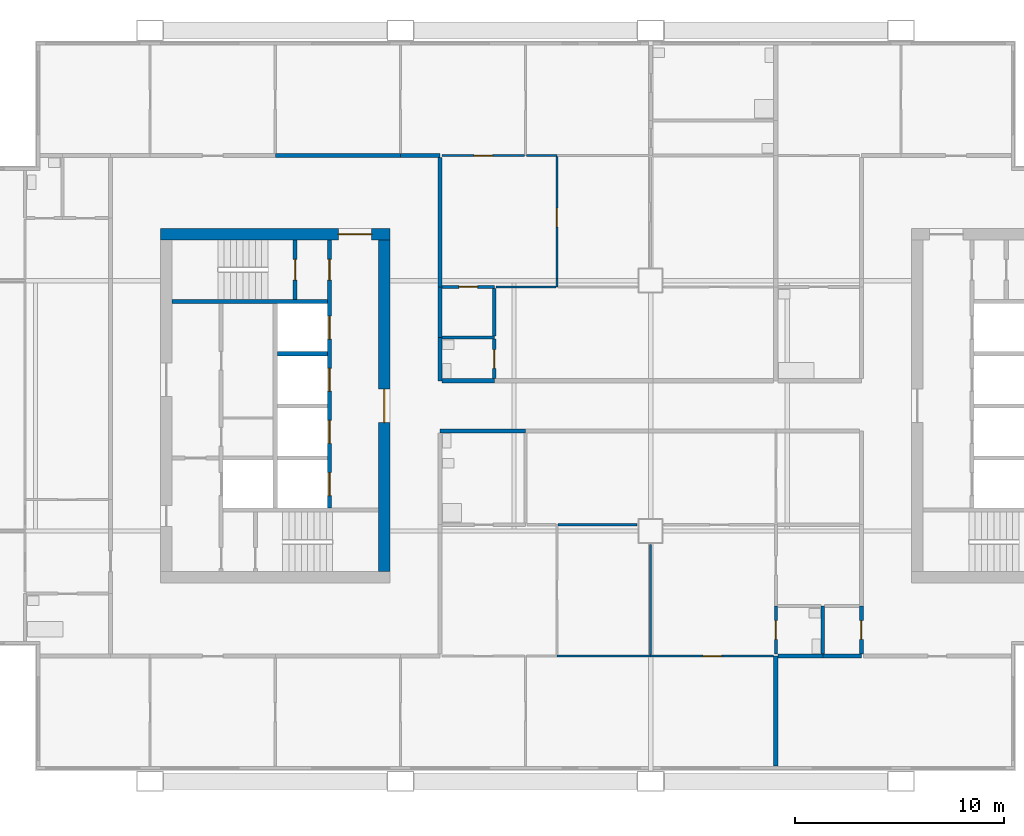
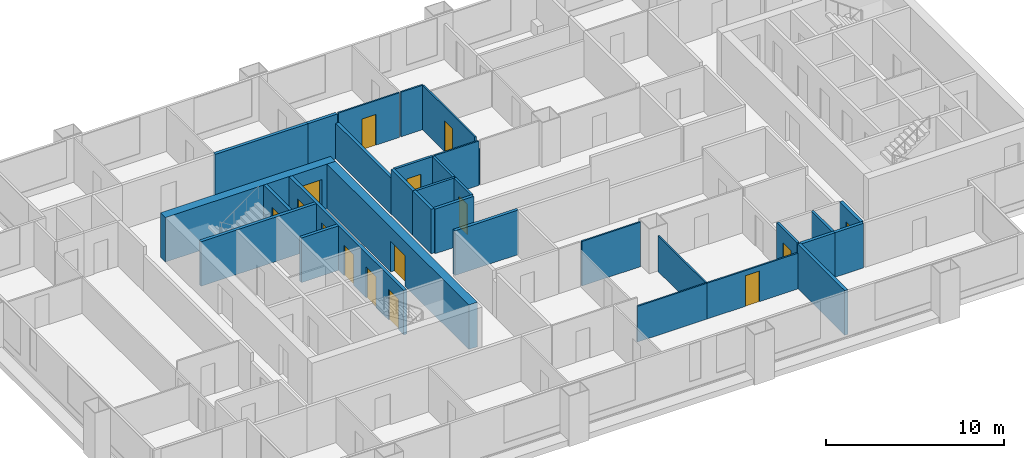
# One storey, part 4 of 9: 32 walls, 15 doors, 15 openings.
"""IFC4 building model written with IfcOpenShell, lengths in metres."""

from ifc_helpers import new_model, si_unit, direction, frame, frame_2d, origin, place, context, subcontext, project, spatial, rectangle, extrude, material, layer, layer_set, type_object, element, fill, save


model = new_model("IFC4")

# Units and contexts
model_context = context("Model", 3, precision=1e-05, world=origin(), true_north=direction((0.0, 1.0)))
body_context = subcontext(model_context, "Body", "Model", "MODEL_VIEW")
ifc_project = project(units=[si_unit("LENGTHUNIT", "METRE"), si_unit("AREAUNIT", "SQUARE_METRE"), si_unit("VOLUMEUNIT", "CUBIC_METRE"), si_unit("PLANEANGLEUNIT", "RADIAN"), si_unit("MASSUNIT", "GRAM", prefix="KILO")], contexts=[model_context])

# Site, building, storey
site_placement = place(None, origin())
site = spatial("IfcSite", under=ifc_project, at=site_placement, CompositionType="ELEMENT")
building_placement = place(site_placement, origin())
building = spatial("IfcBuilding", under=site, at=building_placement, Name="Kitamizu Gate Tower and Museum", CompositionType="ELEMENT")
storey_placement = place(building_placement, frame((0.0, 0.0, 182.39990234375)))
storey = spatial("IfcBuildingStorey", under=building, at=storey_placement, Name="L48", CompositionType="ELEMENT", Elevation=182.39990234375)

# Wall, opening, door
ifc_material_1 = material(Name="Concrete Fc42", Category="concrete")
ifc_layer_1 = layer(ifc_material_1, 0.550048828125)
ifc_layer_set_1 = layer_set([ifc_layer_1], Name="Concrete Fc42")
wall_type_1 = type_object("IfcWallType", Name="Core wall 550", PredefinedType="SHEAR", material=ifc_layer_set_1)
wall_1_placement = place(storey_placement, frame((12.5, 38.22509765625, 0.0), z_axis=(0.0, 0.0, 1.0), x_axis=(1.0, 0.0, 0.0)))
wall_1 = element("IfcWall", 1, at=wall_1_placement, inside=storey, type_object=wall_type_1, Name="Core wall WN", PredefinedType="SHEAR", context=body_context, shape_type="SweptSolid", body=[
    extrude(rectangle(XDim=11.0, YDim=0.550048828125, at=frame_2d((5.5, 0.0))), origin(), (0.0, 0.0, 1.0), 3.050048828125),
])
opening_1_placement = place(wall_1_placement, frame((8.52490234375, 0.0, 0.0)))
opening_1 = element("IfcOpeningElement", 2, at=opening_1_placement, cuts=wall_1, Name="Opening L48-048", PredefinedType="OPENING", context=body_context, shape_type="SweptSolid", body=[
    extrude(rectangle(XDim=1.60009765625, YDim=2.10009765625, at=frame_2d((0.800048828125, 1.050048828125))), frame((0.0, 0.28515625, 0.0), z_axis=(0.0, -1.0, 0.0), x_axis=(1.0, 0.0, 0.0)), (0.0, 0.0, 1.0), 0.570068359375),
])
ifc_material_2 = material(Name="Timber door set", Category="wood")
door_type_1 = type_object("IfcDoorType", Name="Entrance door 1600", OperationType="DOUBLE_DOOR_SINGLE_SWING", PredefinedType="DOOR", material=ifc_material_2)
door_1_placement = place(opening_1_placement, origin())
door_1 = element("IfcDoor", 3, at=door_1_placement, inside=storey, type_object=door_type_1, Name="Lobby door L48-048", OperationType="DOUBLE_DOOR_SINGLE_SWING", OverallHeight=2.10009765625, OverallWidth=1.60009765625, PredefinedType="DOOR", context=body_context, shape_type="SweptSolid", body=[
    extrude(rectangle(XDim=1.60009765625, YDim=2.10009765625, at=frame_2d((0.800048828125, 1.050048828125))), frame((0.0, 0.02490234375, 0.0), z_axis=(0.0, -1.0, 0.0), x_axis=(1.0, 0.0, 0.0)), (0.0, 0.0, 1.0), 0.050048828125),
])
fill(opening_1, door_1)

wall_2_placement = place(storey_placement, frame((23.22509765625, 22.050048828125, 0.0), z_axis=(0.0, 0.0, 1.0), x_axis=(0.0, 1.0, 0.0)))
wall_2 = element("IfcWall", 4, at=wall_2_placement, inside=storey, type_object=wall_type_1, Name="Core wall WARC", PredefinedType="SHEAR", context=body_context, shape_type="SweptSolid", body=[
    extrude(rectangle(XDim=15.89990234375, YDim=0.550048828125, at=frame_2d((7.949951171875, 0.0))), origin(), (0.0, 0.0, 1.0), 3.050048828125),
])
opening_2_placement = place(wall_2_placement, frame((7.14990234375, 0.0, 0.0)))
opening_2 = element("IfcOpeningElement", 5, at=opening_2_placement, cuts=wall_2, Name="Opening L48-049", PredefinedType="OPENING", context=body_context, shape_type="SweptSolid", body=[
    extrude(rectangle(XDim=1.60009765625, YDim=2.10009765625, at=frame_2d((0.800048828125, 1.050048828125))), frame((0.0, 0.28515625, 0.0), z_axis=(0.0, -1.0, 0.0), x_axis=(1.0, 0.0, 0.0)), (0.0, 0.0, 1.0), 0.570068359375),
])
door_2_placement = place(opening_2_placement, origin())
door_2 = element("IfcDoor", 6, at=door_2_placement, inside=storey, type_object=door_type_1, Name="Lobby door L48-049", OperationType="DOUBLE_DOOR_SINGLE_SWING", OverallHeight=2.10009765625, OverallWidth=1.60009765625, PredefinedType="DOOR", context=body_context, shape_type="SweptSolid", body=[
    extrude(rectangle(XDim=1.60009765625, YDim=2.10009765625, at=frame_2d((0.800048828125, 1.050048828125))), frame((0.0, 0.02490234375, 0.0), z_axis=(0.0, -1.0, 0.0), x_axis=(1.0, 0.0, 0.0)), (0.0, 0.0, 1.0), 0.050048828125),
])
fill(opening_2, door_2)

# Wall
ifc_material_3 = material(Name="Gypsum board on galvanised stud")
ifc_layer_2 = layer(ifc_material_3, 0.10009765625)
ifc_layer_set_2 = layer_set([ifc_layer_2], Name="Gypsum board on galvanised stud")
wall_type_2 = type_object("IfcWallType", Name="Partition 100 NOT RATED", PredefinedType="PARTITIONING", material=ifc_layer_set_2)
wall_3_placement = place(storey_placement, frame((36.0, 18.0, 0.0), z_axis=(0.0, 0.0, 1.0), x_axis=(-1.0, 0.0, 0.0)))
element("IfcWall", 7, at=wall_3_placement, inside=storey, type_object=wall_type_2, Name="Partition L48-012", PredefinedType="PARTITIONING", context=body_context, shape_type="SweptSolid", body=[
    extrude(rectangle(XDim=4.5, YDim=0.10009765625, at=frame_2d((2.25, 0.0))), origin(), (0.0, 0.0, 1.0), 2.4501953125),
])

# Wall, opening, door
wall_4_placement = place(storey_placement, frame((41.89990234375, 18.0, 0.0), z_axis=(0.0, 0.0, 1.0), x_axis=(-1.0, 0.0, 0.0)))
wall_4 = element("IfcWall", 8, at=wall_4_placement, inside=storey, type_object=wall_type_2, Name="Partition L48-013", PredefinedType="PARTITIONING", context=body_context, shape_type="SweptSolid", body=[
    extrude(rectangle(XDim=5.89990234375, YDim=0.10009765625, at=frame_2d((2.949951171875, 0.0))), origin(), (0.0, 0.0, 1.0), 2.4501953125),
])
opening_3_placement = place(wall_4_placement, frame((2.5, 0.0, 0.0)))
opening_3 = element("IfcOpeningElement", 9, at=opening_3_placement, cuts=wall_4, Name="Opening L48-008", PredefinedType="OPENING", context=body_context, shape_type="SweptSolid", body=[
    extrude(rectangle(XDim=0.89990234375, YDim=2.10009765625, at=frame_2d((0.449951171875, 1.050048828125))), frame((0.0, 0.06005859375, 0.0), z_axis=(0.0, -1.0, 0.0), x_axis=(1.0, 0.0, 0.0)), (0.0, 0.0, 1.0), 0.1201171875),
])
ifc_material_4 = material(Name="Timber door set", Category="wood")
door_type_2 = type_object("IfcDoorType", Name="Room door 900", OperationType="NOTDEFINED", PredefinedType="DOOR", material=ifc_material_4)
door_3_placement = place(opening_3_placement, frame((0.89990234375, 0.0, 0.0), x_axis=(-1.0, 0.0, 0.0)))
door_3 = element("IfcDoor", 10, at=door_3_placement, inside=storey, type_object=door_type_2, Name="Door L48-008", OperationType="SINGLE_SWING_RIGHT", OverallHeight=2.10009765625, OverallWidth=0.89990234375, PredefinedType="DOOR", context=body_context, shape_type="SweptSolid", body=[
    extrude(rectangle(XDim=0.89990234375, YDim=2.10009765625, at=frame_2d((0.449951171875, 1.050048828125))), frame((0.0, 0.02490234375, 0.0), z_axis=(0.0, -1.0, 0.0), x_axis=(1.0, 0.0, 0.0)), (0.0, 0.0, 1.0), 0.050048828125),
])
fill(opening_3, door_3)

# Walls
wall_5_placement = place(storey_placement, frame((36.0, 18.050048828125, 0.0), z_axis=(0.0, 0.0, 1.0), x_axis=(0.0, 1.0, 0.0)))
element("IfcWall", 11, at=wall_5_placement, inside=storey, type_object=wall_type_2, Name="Partition L48-020", PredefinedType="PARTITIONING", context=body_context, shape_type="SweptSolid", body=[
    extrude(rectangle(XDim=5.300048828125, YDim=0.10009765625, at=frame_2d((2.64990234375, 0.0))), origin(), (0.0, 0.0, 1.0), 2.4501953125),
])
wall_6_placement = place(storey_placement, frame((35.35009765625, 24.300048828125, 0.0), z_axis=(0.0, 0.0, 1.0), x_axis=(-1.0, 0.0, 0.0)))
element("IfcWall", 12, at=wall_6_placement, inside=storey, type_object=wall_type_2, Name="Partition L48-021", PredefinedType="PARTITIONING", context=body_context, shape_type="SweptSolid", body=[
    extrude(rectangle(XDim=3.800048828125, YDim=0.10009765625, at=frame_2d((1.89990234375, 0.0))), origin(), (0.0, 0.0, 1.0), 3.050048828125),
])

# Wall, opening, door
wall_7_placement = place(storey_placement, frame((26.0, 42.0, 0.0), z_axis=(0.0, 0.0, 1.0), x_axis=(1.0, 0.0, 0.0)))
wall_7 = element("IfcWall", 13, at=wall_7_placement, inside=storey, type_object=wall_type_2, Name="Partition L48-050", PredefinedType="PARTITIONING", context=body_context, shape_type="SweptSolid", body=[
    extrude(rectangle(XDim=3.949951171875, YDim=0.10009765625, at=frame_2d((1.97509765625, 0.0))), origin(), (0.0, 0.0, 1.0), 3.050048828125),
])
opening_4_placement = place(wall_7_placement, frame((1.52490234375, 0.0, 0.0)))
opening_4 = element("IfcOpeningElement", 14, at=opening_4_placement, cuts=wall_7, Name="Opening L48-022", PredefinedType="OPENING", context=body_context, shape_type="SweptSolid", body=[
    extrude(rectangle(XDim=0.89990234375, YDim=2.10009765625, at=frame_2d((0.449951171875, 1.050048828125))), frame((0.0, 0.06005859375, 0.0), z_axis=(0.0, -1.0, 0.0), x_axis=(1.0, 0.0, 0.0)), (0.0, 0.0, 1.0), 0.1201171875),
])
door_4_placement = place(opening_4_placement, origin())
door_4 = element("IfcDoor", 15, at=door_4_placement, inside=storey, type_object=door_type_2, Name="Door L48-022", OperationType="SINGLE_SWING_LEFT", OverallHeight=2.10009765625, OverallWidth=0.89990234375, PredefinedType="DOOR", context=body_context, shape_type="SweptSolid", body=[
    extrude(rectangle(XDim=0.89990234375, YDim=2.10009765625, at=frame_2d((0.449951171875, 1.050048828125))), frame((0.0, 0.02490234375, 0.0), z_axis=(0.0, -1.0, 0.0), x_axis=(1.0, 0.0, 0.0)), (0.0, 0.0, 1.0), 0.050048828125),
])
fill(opening_4, door_4)

# Walls
wall_8_placement = place(storey_placement, frame((30.050048828125, 42.0, 0.0), z_axis=(0.0, 0.0, 1.0), x_axis=(1.0, 0.0, 0.0)))
element("IfcWall", 16, at=wall_8_placement, inside=storey, type_object=wall_type_2, Name="Partition L48-054", PredefinedType="PARTITIONING", context=body_context, shape_type="SweptSolid", body=[
    extrude(rectangle(XDim=1.449951171875, YDim=0.10009765625, at=frame_2d((0.72509765625, 0.0))), origin(), (0.0, 0.0, 1.0), 3.050048828125),
])
wall_9_placement = place(storey_placement, frame((31.5, 35.699951171875, 0.0), z_axis=(0.0, 0.0, 1.0), x_axis=(0.0, 1.0, 0.0)))
element("IfcWall", 17, at=wall_9_placement, inside=storey, type_object=wall_type_2, Name="Partition L48-060", PredefinedType="PARTITIONING", context=body_context, shape_type="SweptSolid", body=[
    extrude(rectangle(XDim=0.400146484375, YDim=0.10009765625, at=frame_2d((0.2001953125, 0.0))), origin(), (0.0, 0.0, 1.0), 2.4501953125),
])

# Wall, opening, door
wall_10_placement = place(storey_placement, frame((31.5, 36.10009765625, 0.0), z_axis=(0.0, 0.0, 1.0), x_axis=(0.0, 1.0, 0.0)))
wall_10 = element("IfcWall", 18, at=wall_10_placement, inside=storey, type_object=wall_type_2, Name="Partition L48-061", PredefinedType="PARTITIONING", context=body_context, shape_type="SweptSolid", body=[
    extrude(rectangle(XDim=5.849853515625, YDim=0.10009765625, at=frame_2d((2.9248046875, 0.0))), origin(), (0.0, 0.0, 1.0), 3.050048828125),
])
opening_5_placement = place(wall_10_placement, frame((2.47509765625, 0.0, 0.0)))
opening_5 = element("IfcOpeningElement", 19, at=opening_5_placement, cuts=wall_10, Name="Opening L48-023", PredefinedType="OPENING", context=body_context, shape_type="SweptSolid", body=[
    extrude(rectangle(XDim=0.89990234375, YDim=2.10009765625, at=frame_2d((0.449951171875, 1.050048828125))), frame((0.0, 0.06005859375, 0.0), z_axis=(0.0, -1.0, 0.0), x_axis=(1.0, 0.0, 0.0)), (0.0, 0.0, 1.0), 0.1201171875),
])
door_5_placement = place(opening_5_placement, frame((0.89990234375, 0.0, 0.0), x_axis=(-1.0, 0.0, 0.0)))
door_5 = element("IfcDoor", 20, at=door_5_placement, inside=storey, type_object=door_type_2, Name="Door L48-023", OperationType="SINGLE_SWING_LEFT", OverallHeight=2.10009765625, OverallWidth=0.89990234375, PredefinedType="DOOR", context=body_context, shape_type="SweptSolid", body=[
    extrude(rectangle(XDim=0.89990234375, YDim=2.10009765625, at=frame_2d((0.449951171875, 1.050048828125))), frame((0.0, 0.02490234375, 0.0), z_axis=(0.0, -1.0, 0.0), x_axis=(1.0, 0.0, 0.0)), (0.0, 0.0, 1.0), 0.050048828125),
])
fill(opening_5, door_5)

# Wall
wall_11_placement = place(storey_placement, frame((28.574951171875, 35.699951171875, 0.0), z_axis=(0.0, 0.0, 1.0), x_axis=(1.0, 0.0, 0.0)))
element("IfcWall", 21, at=wall_11_placement, inside=storey, type_object=wall_type_2, Name="Partition L48-063", PredefinedType="PARTITIONING", context=body_context, shape_type="SweptSolid", body=[
    extrude(rectangle(XDim=2.875, YDim=0.10009765625, at=frame_2d((1.4375, 0.0))), origin(), (0.0, 0.0, 1.0), 3.050048828125),
])

# Wall, opening, door
ifc_material_5 = material(Name="Gypsum board on galvanised stud")
ifc_layer_3 = layer(ifc_material_5, 0.14990234375)
ifc_layer_set_3 = layer_set([ifc_layer_3], Name="Gypsum board on galvanised stud")
wall_type_3 = type_object("IfcWallType", Name="Partition 150", PredefinedType="PARTITIONING", material=ifc_layer_set_3)
wall_12_placement = place(storey_placement, frame((42.0, 18.10009765625, 0.0), z_axis=(0.0, 0.0, 1.0), x_axis=(0.0, 1.0, 0.0)))
wall_12 = element("IfcWall", 22, at=wall_12_placement, inside=storey, type_object=wall_type_3, Name="Partition L48-023", PredefinedType="PARTITIONING", context=body_context, shape_type="SweptSolid", body=[
    extrude(rectangle(XDim=2.2998046875, YDim=0.14990234375, at=frame_2d((1.14990234375, 0.0))), origin(), (0.0, 0.0, 1.0), 3.050048828125),
])
opening_6_placement = place(wall_12_placement, frame((0.699951171875, 0.0, 0.0)))
opening_6 = element("IfcOpeningElement", 23, at=opening_6_placement, cuts=wall_12, Name="Opening L48-011", PredefinedType="OPENING", context=body_context, shape_type="SweptSolid", body=[
    extrude(rectangle(XDim=0.89990234375, YDim=2.10009765625, at=frame_2d((0.449951171875, 1.050048828125))), frame((0.0, 0.0849609375, 0.0), z_axis=(0.0, -1.0, 0.0), x_axis=(1.0, 0.0, 0.0)), (0.0, 0.0, 1.0), 0.169921875),
])
ifc_material_6 = material(Name="Timber door set", Category="wood")
door_type_3 = type_object("IfcDoorType", Name="Bathroom door 900", OperationType="NOTDEFINED", PredefinedType="DOOR", material=ifc_material_6)
door_6_placement = place(opening_6_placement, frame((0.89990234375, 0.0, 0.0), x_axis=(-1.0, 0.0, 0.0)))
door_6 = element("IfcDoor", 24, at=door_6_placement, inside=storey, type_object=door_type_3, Name="Bathroom door L48-011", OperationType="SINGLE_SWING_LEFT", OverallHeight=2.10009765625, OverallWidth=0.89990234375, PredefinedType="DOOR", context=body_context, shape_type="SweptSolid", body=[
    extrude(rectangle(XDim=0.89990234375, YDim=2.10009765625, at=frame_2d((0.449951171875, 1.050048828125))), frame((0.0, 0.02490234375, 0.0), z_axis=(0.0, -1.0, 0.0), x_axis=(1.0, 0.0, 0.0)), (0.0, 0.0, 1.0), 0.050048828125),
])
fill(opening_6, door_6)

# Wall
wall_13_placement = place(storey_placement, frame((44.25, 18.10009765625, 0.0), z_axis=(0.0, 0.0, 1.0), x_axis=(0.0, 1.0, 0.0)))
element("IfcWall", 25, at=wall_13_placement, inside=storey, type_object=wall_type_3, Name="Partition L48-031", PredefinedType="PARTITIONING", context=body_context, shape_type="SweptSolid", body=[
    extrude(rectangle(XDim=2.2998046875, YDim=0.14990234375, at=frame_2d((1.14990234375, 0.0))), origin(), (0.0, 0.0, 1.0), 3.050048828125),
])

# Wall, opening, door
wall_14_placement = place(storey_placement, frame((26.0, 35.699951171875, 0.0), z_axis=(0.0, 0.0, 1.0), x_axis=(1.0, 0.0, 0.0)))
wall_14 = element("IfcWall", 26, at=wall_14_placement, inside=storey, type_object=wall_type_3, Name="Partition L48-062", PredefinedType="PARTITIONING", context=body_context, shape_type="SweptSolid", body=[
    extrude(rectangle(XDim=2.5, YDim=0.14990234375, at=frame_2d((1.25, 0.0))), origin(), (0.0, 0.0, 1.0), 3.050048828125),
])
opening_7_placement = place(wall_14_placement, frame((0.800048828125, 0.0, 0.0)))
opening_7 = element("IfcOpeningElement", 27, at=opening_7_placement, cuts=wall_14, Name="Opening L48-025", PredefinedType="OPENING", context=body_context, shape_type="SweptSolid", body=[
    extrude(rectangle(XDim=0.89990234375, YDim=2.10009765625, at=frame_2d((0.449951171875, 1.050048828125))), frame((0.0, 0.0849609375, 0.0), z_axis=(0.0, -1.0, 0.0), x_axis=(1.0, 0.0, 0.0)), (0.0, 0.0, 1.0), 0.169921875),
])
door_7_placement = place(opening_7_placement, frame((0.89990234375, 0.0, 0.0), x_axis=(-1.0, 0.0, 0.0)))
door_7 = element("IfcDoor", 28, at=door_7_placement, inside=storey, type_object=door_type_3, Name="Bathroom door L48-025", OperationType="SINGLE_SWING_LEFT", OverallHeight=2.10009765625, OverallWidth=0.89990234375, PredefinedType="DOOR", context=body_context, shape_type="SweptSolid", body=[
    extrude(rectangle(XDim=0.89990234375, YDim=2.10009765625, at=frame_2d((0.449951171875, 1.050048828125))), frame((0.0, 0.02490234375, 0.0), z_axis=(0.0, -1.0, 0.0), x_axis=(1.0, 0.0, 0.0)), (0.0, 0.0, 1.0), 0.050048828125),
])
fill(opening_7, door_7)

# Wall
wall_15_placement = place(storey_placement, frame((28.5, 33.277099609375, 0.0), z_axis=(0.0, 0.0, 1.0), x_axis=(-1.0, 0.0, 0.0)))
element("IfcWall", 29, at=wall_15_placement, inside=storey, type_object=wall_type_3, Name="Partition L48-070", PredefinedType="PARTITIONING", context=body_context, shape_type="SweptSolid", body=[
    extrude(rectangle(XDim=2.5, YDim=0.14990234375, at=frame_2d((1.25, 0.0))), origin(), (0.0, 0.0, 1.0), 3.050048828125),
])

# Wall, opening, door
wall_16_placement = place(storey_placement, frame((28.5, 31.300048828125, 0.0), z_axis=(0.0, 0.0, 1.0), x_axis=(0.0, 1.0, 0.0)))
wall_16 = element("IfcWall", 30, at=wall_16_placement, inside=storey, type_object=wall_type_3, Name="Partition L48-071", PredefinedType="PARTITIONING", context=body_context, shape_type="SweptSolid", body=[
    extrude(rectangle(XDim=1.90185546875, YDim=0.14990234375, at=frame_2d((0.950927734375, 0.0))), origin(), (0.0, 0.0, 1.0), 3.050048828125),
])
opening_8_placement = place(wall_16_placement, frame((0.5009765625, 0.0, 0.0)))
opening_8 = element("IfcOpeningElement", 31, at=opening_8_placement, cuts=wall_16, Name="Opening L48-027", PredefinedType="OPENING", context=body_context, shape_type="SweptSolid", body=[
    extrude(rectangle(XDim=0.89990234375, YDim=2.10009765625, at=frame_2d((0.449951171875, 1.050048828125))), frame((0.0, 0.0849609375, 0.0), z_axis=(0.0, -1.0, 0.0), x_axis=(1.0, 0.0, 0.0)), (0.0, 0.0, 1.0), 0.169921875),
])
door_8_placement = place(opening_8_placement, origin())
door_8 = element("IfcDoor", 32, at=door_8_placement, inside=storey, type_object=door_type_3, Name="Bathroom door L48-027", OperationType="SINGLE_SWING_RIGHT", OverallHeight=2.10009765625, OverallWidth=0.89990234375, PredefinedType="DOOR", context=body_context, shape_type="SweptSolid", body=[
    extrude(rectangle(XDim=0.89990234375, YDim=2.10009765625, at=frame_2d((0.449951171875, 1.050048828125))), frame((0.0, 0.02490234375, 0.0), z_axis=(0.0, -1.0, 0.0), x_axis=(1.0, 0.0, 0.0)), (0.0, 0.0, 1.0), 0.050048828125),
])
fill(opening_8, door_8)

# Walls
wall_17_placement = place(storey_placement, frame((28.5, 33.35205078125, 0.0), z_axis=(0.0, 0.0, 1.0), x_axis=(0.0, 1.0, 0.0)))
element("IfcWall", 33, at=wall_17_placement, inside=storey, type_object=wall_type_3, Name="Partition L48-074", PredefinedType="PARTITIONING", context=body_context, shape_type="SweptSolid", body=[
    extrude(rectangle(XDim=2.27294921875, YDim=0.14990234375, at=frame_2d((1.136474609375, 0.0))), origin(), (0.0, 0.0, 1.0), 3.050048828125),
])
ifc_material_7 = material(Name="Gypsum board on galvanised stud")
ifc_layer_4 = layer(ifc_material_7, 0.199951171875)
ifc_layer_set_4 = layer_set([ifc_layer_4], Name="Gypsum board on galvanised stud")
wall_type_4 = type_object("IfcWallType", Name="Partition 200", PredefinedType="PARTITIONING", material=ifc_layer_set_4)
wall_18_placement = place(storey_placement, frame((42.0, 12.719970703125, 0.0), z_axis=(0.0, 0.0, 1.0), x_axis=(0.0, 1.0, 0.0)))
element("IfcWall", 34, at=wall_18_placement, inside=storey, type_object=wall_type_4, Name="Partition L48-014", PredefinedType="PARTITIONING", context=body_context, shape_type="SweptSolid", body=[
    extrude(rectangle(XDim=5.280029296875, YDim=0.199951171875, at=frame_2d((2.64013671875, 0.0))), origin(), (0.0, 0.0, 1.0), 3.050048828125),
])
wall_19_placement = place(storey_placement, frame((30.0, 28.800048828125, 0.0), z_axis=(0.0, 0.0, 1.0), x_axis=(-1.0, 0.0, 0.0)))
element("IfcWall", 35, at=wall_19_placement, inside=storey, type_object=wall_type_4, Name="Partition L48-026", PredefinedType="PARTITIONING", context=body_context, shape_type="SweptSolid", body=[
    extrude(rectangle(XDim=4.10009765625, YDim=0.199951171875, at=frame_2d((2.050048828125, 0.0))), origin(), (0.0, 0.0, 1.0), 3.050048828125),
])
wall_20_placement = place(storey_placement, frame((42.10009765625, 18.0, 0.0), z_axis=(0.0, 0.0, 1.0), x_axis=(1.0, 0.0, 0.0)))
element("IfcWall", 36, at=wall_20_placement, inside=storey, type_object=wall_type_4, Name="Partition L48-033", PredefinedType="PARTITIONING", context=body_context, shape_type="SweptSolid", body=[
    extrude(rectangle(XDim=2.14990234375, YDim=0.199951171875, at=frame_2d((1.074951171875, 0.0))), origin(), (0.0, 0.0, 1.0), 3.050048828125),
])
wall_21_placement = place(storey_placement, frame((44.25, 18.0, 0.0), z_axis=(0.0, 0.0, 1.0), x_axis=(1.0, 0.0, 0.0)))
element("IfcWall", 37, at=wall_21_placement, inside=storey, type_object=wall_type_4, Name="Partition L48-035", PredefinedType="PARTITIONING", context=body_context, shape_type="SweptSolid", body=[
    extrude(rectangle(XDim=1.85009765625, YDim=0.199951171875, at=frame_2d((0.925048828125, 0.0))), origin(), (0.0, 0.0, 1.0), 3.050048828125),
])

# Wall, opening, door
wall_22_placement = place(storey_placement, frame((46.10009765625, 18.10009765625, 0.0), z_axis=(0.0, 0.0, 1.0), x_axis=(0.0, 1.0, 0.0)))
wall_22 = element("IfcWall", 38, at=wall_22_placement, inside=storey, type_object=wall_type_4, Name="Partition L48-036", PredefinedType="PARTITIONING", context=body_context, shape_type="SweptSolid", body=[
    extrude(rectangle(XDim=2.2998046875, YDim=0.199951171875, at=frame_2d((1.14990234375, 0.0))), origin(), (0.0, 0.0, 1.0), 3.050048828125),
])
opening_9_placement = place(wall_22_placement, frame((0.699951171875, 0.0, 0.0)))
opening_9 = element("IfcOpeningElement", 39, at=opening_9_placement, cuts=wall_22, Name="Opening L48-014", PredefinedType="OPENING", context=body_context, shape_type="SweptSolid", body=[
    extrude(rectangle(XDim=0.89990234375, YDim=2.10009765625, at=frame_2d((0.449951171875, 1.050048828125))), frame((0.0, 0.10986328125, 0.0), z_axis=(0.0, -1.0, 0.0), x_axis=(1.0, 0.0, 0.0)), (0.0, 0.0, 1.0), 0.219970703125),
])
ifc_material_8 = material(Name="Timber door set", Category="wood")
door_type_4 = type_object("IfcDoorType", Name="Store door 900", OperationType="NOTDEFINED", PredefinedType="DOOR", material=ifc_material_8)
door_9_placement = place(opening_9_placement, origin())
door_9 = element("IfcDoor", 40, at=door_9_placement, inside=storey, type_object=door_type_4, Name="Service entrance door L48-014", OperationType="SINGLE_SWING_LEFT", OverallHeight=2.10009765625, OverallWidth=0.89990234375, PredefinedType="DOOR", context=body_context, shape_type="SweptSolid", body=[
    extrude(rectangle(XDim=0.89990234375, YDim=2.10009765625, at=frame_2d((0.449951171875, 1.050048828125))), frame((0.0, 0.02490234375, 0.0), z_axis=(0.0, -1.0, 0.0), x_axis=(1.0, 0.0, 0.0)), (0.0, 0.0, 1.0), 0.050048828125),
])
fill(opening_9, door_9)

# Walls
wall_23_placement = place(storey_placement, frame((18.0, 42.0, 0.0), z_axis=(0.0, 0.0, 1.0), x_axis=(1.0, 0.0, 0.0)))
element("IfcWall", 41, at=wall_23_placement, inside=storey, type_object=wall_type_4, Name="Partition L48-048", PredefinedType="PARTITIONING", context=body_context, shape_type="SweptSolid", body=[
    extrude(rectangle(XDim=6.0, YDim=0.199951171875, at=frame_2d((3.0, 0.0))), origin(), (0.0, 0.0, 1.0), 3.050048828125),
])
wall_24_placement = place(storey_placement, frame((24.0, 42.0, 0.0), z_axis=(0.0, 0.0, 1.0), x_axis=(1.0, 0.0, 0.0)))
element("IfcWall", 42, at=wall_24_placement, inside=storey, type_object=wall_type_4, Name="Partition L48-051", PredefinedType="PARTITIONING", context=body_context, shape_type="SweptSolid", body=[
    extrude(rectangle(XDim=1.89990234375, YDim=0.199951171875, at=frame_2d((0.949951171875, 0.0))), origin(), (0.0, 0.0, 1.0), 3.050048828125),
])
wall_25_placement = place(storey_placement, frame((25.89990234375, 41.89990234375, 0.0), z_axis=(0.0, 0.0, 1.0), x_axis=(0.0, -1.0, 0.0)))
element("IfcWall", 43, at=wall_25_placement, inside=storey, type_object=wall_type_4, Name="Partition L48-064", PredefinedType="PARTITIONING", context=body_context, shape_type="SweptSolid", body=[
    extrude(rectangle(XDim=6.199951171875, YDim=0.199951171875, at=frame_2d((3.10009765625, 0.0))), origin(), (0.0, 0.0, 1.0), 2.4501953125),
])
wall_26_placement = place(storey_placement, frame((25.89990234375, 33.277099609375, 0.0), z_axis=(0.0, 0.0, 1.0), x_axis=(0.0, -1.0, 0.0)))
element("IfcWall", 44, at=wall_26_placement, inside=storey, type_object=wall_type_4, Name="Partition L48-072", PredefinedType="PARTITIONING", context=body_context, shape_type="SweptSolid", body=[
    extrude(rectangle(XDim=2.0771484375, YDim=0.199951171875, at=frame_2d((1.03857421875, 0.0))), origin(), (0.0, 0.0, 1.0), 3.050048828125),
])
wall_27_placement = place(storey_placement, frame((26.0, 31.199951171875, 0.0), z_axis=(0.0, 0.0, 1.0), x_axis=(1.0, 0.0, 0.0)))
element("IfcWall", 45, at=wall_27_placement, inside=storey, type_object=wall_type_4, Name="Partition L48-073", PredefinedType="PARTITIONING", context=body_context, shape_type="SweptSolid", body=[
    extrude(rectangle(XDim=2.5, YDim=0.199951171875, at=frame_2d((1.25, 0.0))), origin(), (0.0, 0.0, 1.0), 3.050048828125),
])
wall_28_placement = place(storey_placement, frame((25.89990234375, 35.699951171875, 0.0), z_axis=(0.0, 0.0, 1.0), x_axis=(0.0, -1.0, 0.0)))
element("IfcWall", 46, at=wall_28_placement, inside=storey, type_object=wall_type_4, Name="Partition L48-075", PredefinedType="PARTITIONING", context=body_context, shape_type="SweptSolid", body=[
    extrude(rectangle(XDim=2.4228515625, YDim=0.199951171875, at=frame_2d((1.21142578125, 0.0))), origin(), (0.0, 0.0, 1.0), 3.050048828125),
])

# Wall, openings, doors
ifc_material_9 = material(Name="Concrete Fc42", Category="concrete")
ifc_layer_5 = layer(ifc_material_9, 0.199951171875)
ifc_layer_set_5 = layer_set([ifc_layer_5], Name="Concrete Fc42")
wall_type_5 = type_object("IfcWallType", Name="Shaft wall 200", PredefinedType="SOLIDWALL", material=ifc_layer_set_5)
wall_29_placement = place(storey_placement, frame((20.60009765625, 25.10009765625, 0.0), z_axis=(0.0, 0.0, 1.0), x_axis=(0.0, 1.0, 0.0)))
wall_29 = element("IfcWall", 47, at=wall_29_placement, inside=storey, type_object=wall_type_5, Name="Shaft wall WEAST", PredefinedType="SOLIDWALL", context=body_context, shape_type="SweptSolid", body=[
    extrude(rectangle(XDim=12.849853515625, YDim=0.199951171875, at=frame_2d((6.4248046875, 0.0))), origin(), (0.0, 0.0, 1.0), 3.050048828125),
])
opening_10_placement = place(wall_29_placement, frame((0.60009765625, 0.0, 0.0)))
opening_10 = element("IfcOpeningElement", 48, at=opening_10_placement, cuts=wall_29, Name="Opening LD", PredefinedType="OPENING", context=body_context, shape_type="SweptSolid", body=[
    extrude(rectangle(XDim=1.10009765625, YDim=2.10009765625, at=frame_2d((0.550048828125, 1.050048828125))), frame((0.0, 0.10986328125, 0.0), z_axis=(0.0, -1.0, 0.0), x_axis=(1.0, 0.0, 0.0)), (0.0, 0.0, 1.0), 0.219970703125),
])
opening_11_placement = place(wall_29_placement, frame((3.10009765625, 0.0, 0.0)))
opening_11 = element("IfcOpeningElement", 49, at=opening_11_placement, cuts=wall_29, Name="Opening LD", PredefinedType="OPENING", context=body_context, shape_type="SweptSolid", body=[
    extrude(rectangle(XDim=1.10009765625, YDim=2.10009765625, at=frame_2d((0.550048828125, 1.050048828125))), frame((0.0, 0.10986328125, 0.0), z_axis=(0.0, -1.0, 0.0), x_axis=(1.0, 0.0, 0.0)), (0.0, 0.0, 1.0), 0.219970703125),
])
opening_12_placement = place(wall_29_placement, frame((5.60009765625, 0.0, 0.0)))
opening_12 = element("IfcOpeningElement", 50, at=opening_12_placement, cuts=wall_29, Name="Opening LD", PredefinedType="OPENING", context=body_context, shape_type="SweptSolid", body=[
    extrude(rectangle(XDim=1.10009765625, YDim=2.10009765625, at=frame_2d((0.550048828125, 1.050048828125))), frame((0.0, 0.10986328125, 0.0), z_axis=(0.0, -1.0, 0.0), x_axis=(1.0, 0.0, 0.0)), (0.0, 0.0, 1.0), 0.219970703125),
])
opening_13_placement = place(wall_29_placement, frame((8.10009765625, 0.0, 0.0)))
opening_13 = element("IfcOpeningElement", 51, at=opening_13_placement, cuts=wall_29, Name="Opening LD", PredefinedType="OPENING", context=body_context, shape_type="SweptSolid", body=[
    extrude(rectangle(XDim=1.10009765625, YDim=2.10009765625, at=frame_2d((0.550048828125, 1.050048828125))), frame((0.0, 0.10986328125, 0.0), z_axis=(0.0, -1.0, 0.0), x_axis=(1.0, 0.0, 0.0)), (0.0, 0.0, 1.0), 0.219970703125),
])
opening_14_placement = place(wall_29_placement, frame((10.925048828125, 0.0, 0.0)))
opening_14 = element("IfcOpeningElement", 52, at=opening_14_placement, cuts=wall_29, Name="Opening L48-043", PredefinedType="OPENING", context=body_context, shape_type="SweptSolid", body=[
    extrude(rectangle(XDim=1.0, YDim=2.10009765625, at=frame_2d((0.5, 1.050048828125))), frame((0.0, 0.10986328125, 0.0), z_axis=(0.0, -1.0, 0.0), x_axis=(1.0, 0.0, 0.0)), (0.0, 0.0, 1.0), 0.219970703125),
])
ifc_material_10 = material(Name="Hollow metal door set")
door_type_5 = type_object("IfcDoorType", Name="Fire door 1000", OperationType="NOTDEFINED", PredefinedType="DOOR", material=ifc_material_10)
door_10_placement = place(opening_14_placement, origin())
door_10 = element("IfcDoor", 53, at=door_10_placement, inside=storey, type_object=door_type_5, Name="Stair lobby door L48-043", OperationType="SINGLE_SWING_LEFT", OverallHeight=2.10009765625, OverallWidth=1.0, PredefinedType="DOOR", context=body_context, shape_type="SweptSolid", body=[
    extrude(rectangle(XDim=1.0, YDim=2.10009765625, at=frame_2d((0.5, 1.050048828125))), frame((0.0, 0.02490234375, 0.0), z_axis=(0.0, -1.0, 0.0), x_axis=(1.0, 0.0, 0.0)), (0.0, 0.0, 1.0), 0.050048828125),
])
fill(opening_14, door_10)
ifc_material_11 = material(Name="Hollow metal door set")
door_type_6 = type_object("IfcDoorType", Name="Landing door 1100", OperationType="SLIDING_TO_LEFT", PredefinedType="DOOR", material=ifc_material_11)
door_11_placement = place(opening_10_placement, origin())
door_11 = element("IfcDoor", 54, at=door_11_placement, inside=storey, type_object=door_type_6, Name="Landing door WSV1", OperationType="SLIDING_TO_LEFT", OverallHeight=2.10009765625, OverallWidth=1.10009765625, PredefinedType="DOOR", context=body_context, shape_type="SweptSolid", body=[
    extrude(rectangle(XDim=1.10009765625, YDim=2.10009765625, at=frame_2d((0.550048828125, 1.050048828125))), frame((0.0, 0.02490234375, 0.0), z_axis=(0.0, -1.0, 0.0), x_axis=(1.0, 0.0, 0.0)), (0.0, 0.0, 1.0), 0.050048828125),
])
fill(opening_10, door_11)
door_12_placement = place(opening_11_placement, origin())
door_12 = element("IfcDoor", 55, at=door_12_placement, inside=storey, type_object=door_type_6, Name="Landing door WH1", OperationType="SLIDING_TO_LEFT", OverallHeight=2.10009765625, OverallWidth=1.10009765625, PredefinedType="DOOR", context=body_context, shape_type="SweptSolid", body=[
    extrude(rectangle(XDim=1.10009765625, YDim=2.10009765625, at=frame_2d((0.550048828125, 1.050048828125))), frame((0.0, 0.02490234375, 0.0), z_axis=(0.0, -1.0, 0.0), x_axis=(1.0, 0.0, 0.0)), (0.0, 0.0, 1.0), 0.050048828125),
])
fill(opening_11, door_12)
door_13_placement = place(opening_12_placement, origin())
door_13 = element("IfcDoor", 56, at=door_13_placement, inside=storey, type_object=door_type_6, Name="Landing door WH2", OperationType="SLIDING_TO_LEFT", OverallHeight=2.10009765625, OverallWidth=1.10009765625, PredefinedType="DOOR", context=body_context, shape_type="SweptSolid", body=[
    extrude(rectangle(XDim=1.10009765625, YDim=2.10009765625, at=frame_2d((0.550048828125, 1.050048828125))), frame((0.0, 0.02490234375, 0.0), z_axis=(0.0, -1.0, 0.0), x_axis=(1.0, 0.0, 0.0)), (0.0, 0.0, 1.0), 0.050048828125),
])
fill(opening_12, door_13)
door_14_placement = place(opening_13_placement, origin())
door_14 = element("IfcDoor", 57, at=door_14_placement, inside=storey, type_object=door_type_6, Name="Landing door WH3", OperationType="SLIDING_TO_LEFT", OverallHeight=2.10009765625, OverallWidth=1.10009765625, PredefinedType="DOOR", context=body_context, shape_type="SweptSolid", body=[
    extrude(rectangle(XDim=1.10009765625, YDim=2.10009765625, at=frame_2d((0.550048828125, 1.050048828125))), frame((0.0, 0.02490234375, 0.0), z_axis=(0.0, -1.0, 0.0), x_axis=(1.0, 0.0, 0.0)), (0.0, 0.0, 1.0), 0.050048828125),
])
fill(opening_13, door_14)

# Wall
wall_30_placement = place(storey_placement, frame((13.050048828125, 35.0, 0.0), z_axis=(0.0, 0.0, 1.0), x_axis=(1.0, 0.0, 0.0)))
element("IfcWall", 58, at=wall_30_placement, inside=storey, type_object=wall_type_5, Name="Shaft wall WNB", PredefinedType="SOLIDWALL", context=body_context, shape_type="SweptSolid", body=[
    extrude(rectangle(XDim=7.449951171875, YDim=0.199951171875, at=frame_2d((3.72509765625, 0.0))), origin(), (0.0, 0.0, 1.0), 3.050048828125),
])

# Wall, opening, door
wall_31_placement = place(storey_placement, frame((18.949951171875, 35.10009765625, 0.0), z_axis=(0.0, 0.0, 1.0), x_axis=(0.0, 1.0, 0.0)))
wall_31 = element("IfcWall", 59, at=wall_31_placement, inside=storey, type_object=wall_type_5, Name="Shaft wall WNZ", PredefinedType="SOLIDWALL", context=body_context, shape_type="SweptSolid", body=[
    extrude(rectangle(XDim=2.849853515625, YDim=0.199951171875, at=frame_2d((1.4248046875, 0.0))), origin(), (0.0, 0.0, 1.0), 3.050048828125),
])
opening_15_placement = place(wall_31_placement, frame((0.925048828125, 0.0, 0.0)))
opening_15 = element("IfcOpeningElement", 60, at=opening_15_placement, cuts=wall_31, Name="Opening L48-044", PredefinedType="OPENING", context=body_context, shape_type="SweptSolid", body=[
    extrude(rectangle(XDim=1.0, YDim=2.10009765625, at=frame_2d((0.5, 1.050048828125))), frame((0.0, 0.10986328125, 0.0), z_axis=(0.0, -1.0, 0.0), x_axis=(1.0, 0.0, 0.0)), (0.0, 0.0, 1.0), 0.219970703125),
])
door_15_placement = place(opening_15_placement, origin())
door_15 = element("IfcDoor", 61, at=door_15_placement, inside=storey, type_object=door_type_5, Name="Stair door L48-044", OperationType="SINGLE_SWING_RIGHT", OverallHeight=2.10009765625, OverallWidth=1.0, PredefinedType="DOOR", context=body_context, shape_type="SweptSolid", body=[
    extrude(rectangle(XDim=1.0, YDim=2.10009765625, at=frame_2d((0.5, 1.050048828125))), frame((0.0, 0.02490234375, 0.0), z_axis=(0.0, -1.0, 0.0), x_axis=(1.0, 0.0, 0.0)), (0.0, 0.0, 1.0), 0.050048828125),
])
fill(opening_15, door_15)

# Wall
wall_32_placement = place(storey_placement, frame((18.10009765625, 32.5, 0.0), z_axis=(0.0, 0.0, 1.0), x_axis=(1.0, 0.0, 0.0)))
element("IfcWall", 62, at=wall_32_placement, inside=storey, type_object=wall_type_5, Name="Shaft wall WDVE2", PredefinedType="SOLIDWALL", context=body_context, shape_type="SweptSolid", body=[
    extrude(rectangle(XDim=2.39990234375, YDim=0.199951171875, at=frame_2d((1.199951171875, 0.0))), origin(), (0.0, 0.0, 1.0), 3.050048828125),
])

save(model, "model.ifc")
